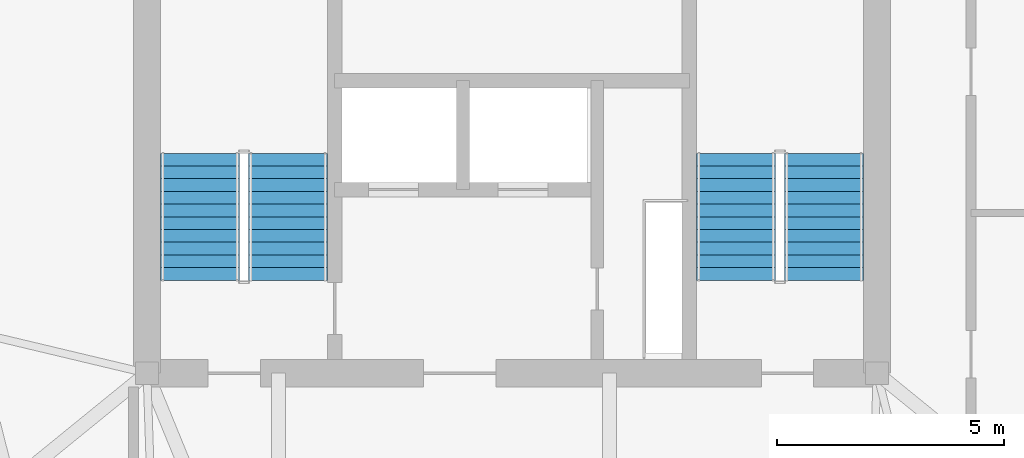
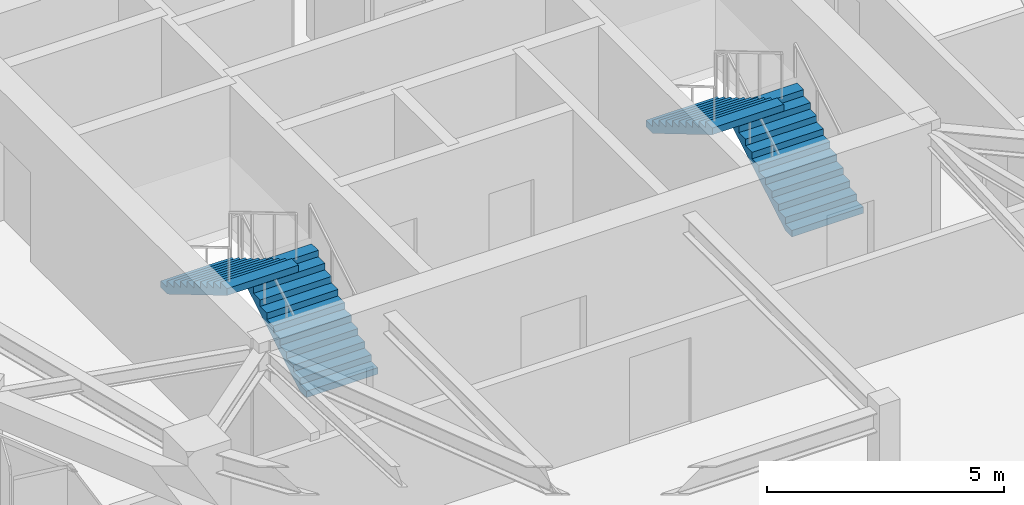
# One storey, part 9 of 10: 4 stair flights, 2 elements without a shape of their own.
"""IFC4 building model written with IfcOpenShell, lengths in metres."""

from ifc_helpers import new_model, si_unit, direction, frame, origin, place, context, subcontext, project, spatial, polyline, outline, extrude, material, type_object, element, aggregate, save


model = new_model("IFC4")

# Units and contexts
model_context = context("Model", 3, precision=1e-05, world=origin(), true_north=direction((0.0, 1.0)))
body_context = subcontext(model_context, "Body", "Model", "MODEL_VIEW")
ifc_project = project(units=[si_unit("LENGTHUNIT", "METRE"), si_unit("AREAUNIT", "SQUARE_METRE"), si_unit("VOLUMEUNIT", "CUBIC_METRE"), si_unit("PLANEANGLEUNIT", "RADIAN"), si_unit("MASSUNIT", "GRAM", prefix="KILO")], contexts=[model_context])

# Site, building, storey
site_placement = place(None, origin())
site = spatial("IfcSite", under=ifc_project, at=site_placement, CompositionType="ELEMENT")
building_placement = place(site_placement, origin())
building = spatial("IfcBuilding", under=site, at=building_placement, Name="Talyreon Biosciences Tower", CompositionType="ELEMENT")
storey_placement = place(building_placement, frame((0.0, 0.0, 287.449951171875)))
storey = spatial("IfcBuildingStorey", under=building, at=storey_placement, Name="L76", CompositionType="ELEMENT", Elevation=287.449951171875)

# Stair, stair flights
ifc_material = material(Name="Concrete C40/50", Category="concrete")
stair_type = type_object("IfcStairType", Name="DoglegEscapeStair_3650", PredefinedType="HALF_TURN_STAIR", material=ifc_material)
stair_1_placement = place(storey_placement, origin())
stair_1 = element("IfcStair", 1, at=stair_1_placement, inside=storey, type_object=stair_type, Name="L76 Core Escape Stair 1", PredefinedType="HALF_TURN_STAIR")
stair_flight_type = type_object("IfcStairFlightType", Name="PrecastStairFlight_3650", PredefinedType="STRAIGHT", material=ifc_material)
stair_flight_1_placement = place(storey_placement, frame((61.06005859375, 63.39990234375, 0.0), z_axis=(0.0, 0.0, 1.0), x_axis=(0.0, 1.0, 0.0)))
stair_flight_1 = element("IfcStairFlight", 2, at=stair_flight_1_placement, type_object=stair_flight_type, Name="ST-1 flight 1", NumberOfRisers=11, NumberOfTreads=10, PredefinedType="STRAIGHT", RiserHeight=0.165909091, TreadLength=0.28, context=body_context, shape_type="SweptSolid", body=[
    extrude(outline(polyline([(0.0, 0.0), (0.0, 0.166015625), (0.280029296875, 0.166015625), (0.280029296875, 0.331787109375), (0.56005859375, 0.331787109375), (0.56005859375, 0.497802734375), (0.840087890625, 0.497802734375), (0.840087890625, 0.66357421875), (1.1201171875, 0.66357421875), (1.1201171875, 0.82958984375), (1.39990234375, 0.82958984375), (1.39990234375, 0.995361328125), (1.679931640625, 0.995361328125), (1.679931640625, 1.161376953125), (1.9599609375, 1.161376953125), (1.9599609375, 1.327392578125), (2.239990234375, 1.327392578125), (2.239990234375, 1.4931640625), (2.52001953125, 1.4931640625), (2.52001953125, 1.6591796875), (2.800048828125, 1.6591796875), (2.800048828125, 1.824951171875), (2.800048828125, 1.48486328125), (0.2939453125, 0.0), (0.0, 0.0)])), frame((0.0, 0.8701171875, 0.0), z_axis=(0.0, -1.0, 0.0), x_axis=(1.0, 0.0, 0.0)), (0.0, 0.0, 1.0), 1.739990234375),
])
stair_flight_2_placement = place(storey_placement, frame((59.1201171875, 66.199951171875, 1.824951171875), z_axis=(0.0, 0.0, 1.0), x_axis=(0.0, -1.0, 0.0)))
stair_flight_2 = element("IfcStairFlight", 3, at=stair_flight_2_placement, type_object=stair_flight_type, Name="ST-1 flight 2", NumberOfRisers=11, NumberOfTreads=10, PredefinedType="STRAIGHT", RiserHeight=0.165909091, TreadLength=0.28, context=body_context, shape_type="SweptSolid", body=[
    extrude(outline(polyline([(0.0, 0.0), (0.0, 0.166015625), (0.280029296875, 0.166015625), (0.280029296875, 0.331787109375), (0.56005859375, 0.331787109375), (0.56005859375, 0.497802734375), (0.840087890625, 0.497802734375), (0.840087890625, 0.66357421875), (1.1201171875, 0.66357421875), (1.1201171875, 0.82958984375), (1.39990234375, 0.82958984375), (1.39990234375, 0.995361328125), (1.679931640625, 0.995361328125), (1.679931640625, 1.161376953125), (1.9599609375, 1.161376953125), (1.9599609375, 1.327392578125), (2.239990234375, 1.327392578125), (2.239990234375, 1.4931640625), (2.52001953125, 1.4931640625), (2.52001953125, 1.6591796875), (2.800048828125, 1.6591796875), (2.800048828125, 1.824951171875), (2.800048828125, 1.48486328125), (0.2939453125, 0.0), (0.0, 0.0)])), frame((0.0, 0.8701171875, 0.0), z_axis=(0.0, -1.0, 0.0), x_axis=(1.0, 0.0, 0.0)), (0.0, 0.0, 1.0), 1.739990234375),
])
aggregate(stair_1, [stair_flight_1, stair_flight_2])

stair_2_placement = place(storey_placement, origin())
stair_2 = element("IfcStair", 4, at=stair_2_placement, inside=storey, type_object=stair_type, Name="L76 Core Escape Stair 2", PredefinedType="HALF_TURN_STAIR")
stair_flight_3_placement = place(storey_placement, frame((72.8798828125, 63.39990234375, 0.0), z_axis=(0.0, 0.0, 1.0), x_axis=(0.0, 1.0, 0.0)))
stair_flight_3 = element("IfcStairFlight", 5, at=stair_flight_3_placement, type_object=stair_flight_type, Name="ST-2 flight 1", NumberOfRisers=11, NumberOfTreads=10, PredefinedType="STRAIGHT", RiserHeight=0.165909091, TreadLength=0.28, context=body_context, shape_type="SweptSolid", body=[
    extrude(outline(polyline([(0.0, 0.0), (0.0, 0.166015625), (0.280029296875, 0.166015625), (0.280029296875, 0.331787109375), (0.56005859375, 0.331787109375), (0.56005859375, 0.497802734375), (0.840087890625, 0.497802734375), (0.840087890625, 0.66357421875), (1.1201171875, 0.66357421875), (1.1201171875, 0.82958984375), (1.39990234375, 0.82958984375), (1.39990234375, 0.995361328125), (1.679931640625, 0.995361328125), (1.679931640625, 1.161376953125), (1.9599609375, 1.161376953125), (1.9599609375, 1.327392578125), (2.239990234375, 1.327392578125), (2.239990234375, 1.4931640625), (2.52001953125, 1.4931640625), (2.52001953125, 1.6591796875), (2.800048828125, 1.6591796875), (2.800048828125, 1.824951171875), (2.800048828125, 1.48486328125), (0.2939453125, 0.0), (0.0, 0.0)])), frame((0.0, 0.8701171875, 0.0), z_axis=(0.0, -1.0, 0.0), x_axis=(1.0, 0.0, 0.0)), (0.0, 0.0, 1.0), 1.739990234375),
])
stair_flight_4_placement = place(storey_placement, frame((70.93994140625, 66.199951171875, 1.824951171875), z_axis=(0.0, 0.0, 1.0), x_axis=(0.0, -1.0, 0.0)))
stair_flight_4 = element("IfcStairFlight", 6, at=stair_flight_4_placement, type_object=stair_flight_type, Name="ST-2 flight 2", NumberOfRisers=11, NumberOfTreads=10, PredefinedType="STRAIGHT", RiserHeight=0.165909091, TreadLength=0.28, context=body_context, shape_type="SweptSolid", body=[
    extrude(outline(polyline([(0.0, 0.0), (0.0, 0.166015625), (0.280029296875, 0.166015625), (0.280029296875, 0.331787109375), (0.56005859375, 0.331787109375), (0.56005859375, 0.497802734375), (0.840087890625, 0.497802734375), (0.840087890625, 0.66357421875), (1.1201171875, 0.66357421875), (1.1201171875, 0.82958984375), (1.39990234375, 0.82958984375), (1.39990234375, 0.995361328125), (1.679931640625, 0.995361328125), (1.679931640625, 1.161376953125), (1.9599609375, 1.161376953125), (1.9599609375, 1.327392578125), (2.239990234375, 1.327392578125), (2.239990234375, 1.4931640625), (2.52001953125, 1.4931640625), (2.52001953125, 1.6591796875), (2.800048828125, 1.6591796875), (2.800048828125, 1.824951171875), (2.800048828125, 1.48486328125), (0.2939453125, 0.0), (0.0, 0.0)])), frame((0.0, 0.8701171875, 0.0), z_axis=(0.0, -1.0, 0.0), x_axis=(1.0, 0.0, 0.0)), (0.0, 0.0, 1.0), 1.739990234375),
])
aggregate(stair_2, [stair_flight_3, stair_flight_4])

save(model, "model.ifc")
